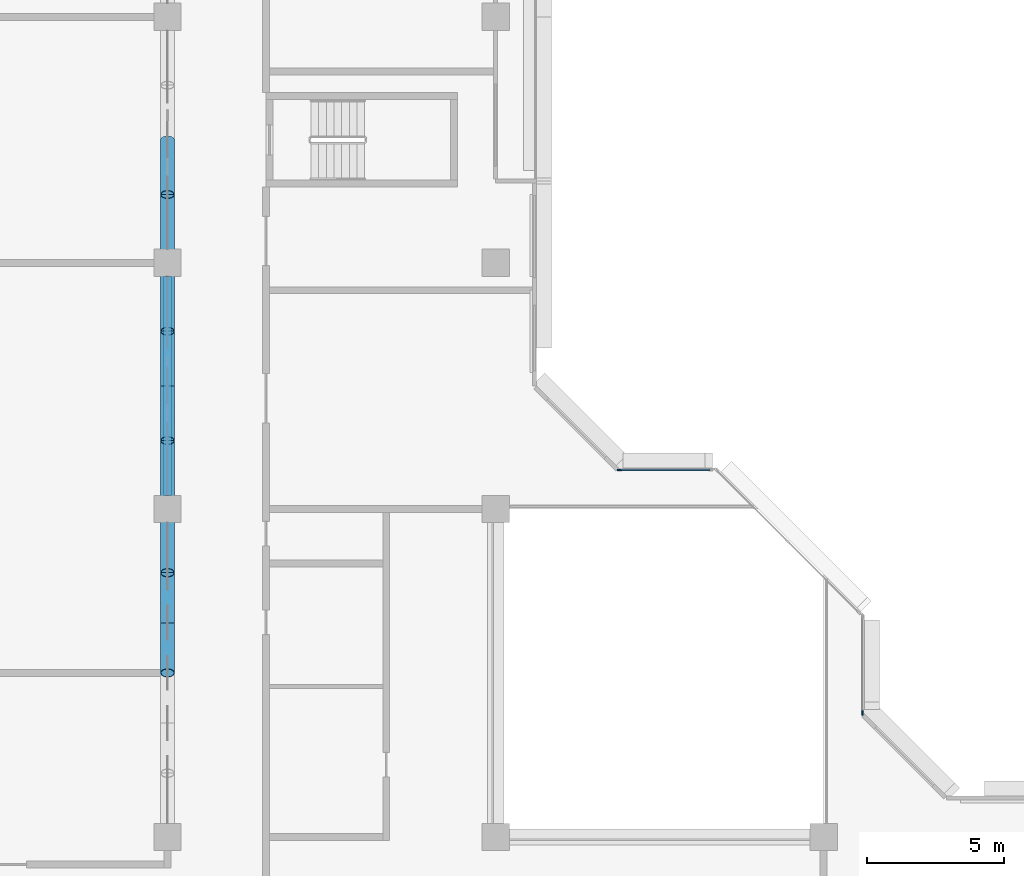
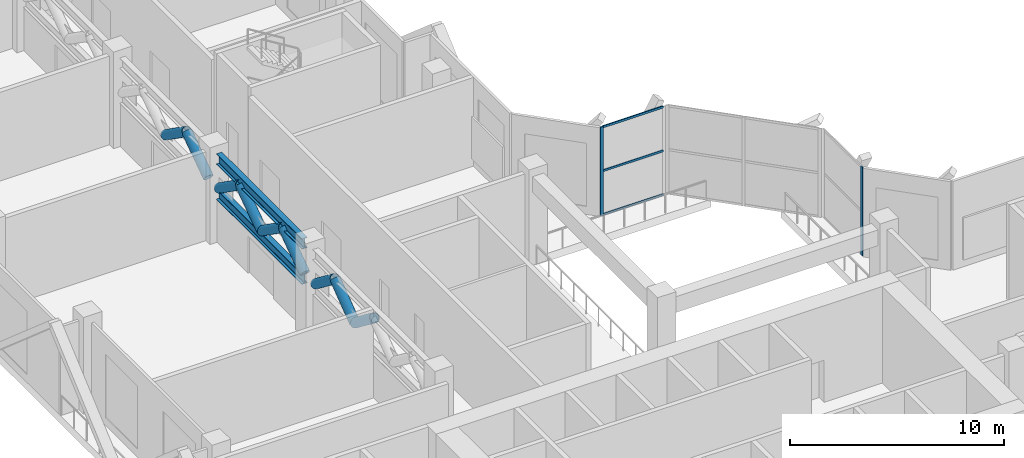
# One storey, part 2 of 15: 14 members, 2 beams, 2 elements without a shape of their own.
"""IFC4 building model written with IfcOpenShell, lengths in metres."""

from ifc_helpers import new_model, si_unit, direction, frame, origin, origin_2d, place, context, subcontext, project, spatial, rectangle, hollow_circle, i_section, extrude, material, layer, layer_set, material_profile, profile_set, type_object, element, aggregate, save


model = new_model("IFC4")

# Units and contexts
model_context = context("Model", 3, precision=1e-05, world=origin(), true_north=direction((0.0, 1.0)))
body_context = subcontext(model_context, "Body", "Model", "MODEL_VIEW")
ifc_project = project(units=[si_unit("LENGTHUNIT", "METRE"), si_unit("AREAUNIT", "SQUARE_METRE"), si_unit("VOLUMEUNIT", "CUBIC_METRE"), si_unit("PLANEANGLEUNIT", "RADIAN"), si_unit("MASSUNIT", "GRAM", prefix="KILO")], contexts=[model_context])

# Site, building, storey
site_placement = place(None, origin())
site = spatial("IfcSite", under=ifc_project, at=site_placement, CompositionType="ELEMENT")
building_placement = place(site_placement, origin())
building = spatial("IfcBuilding", under=site, at=building_placement, Name="Chenar Terraces", CompositionType="ELEMENT")
storey_placement = place(building_placement, frame((0.0, 0.0, 140.64990234375)))
storey = spatial("IfcBuildingStorey", under=building, at=storey_placement, Name="L33", CompositionType="ELEMENT", Elevation=140.64990234375)

# Curtain wall, member
ifc_material_1 = material(Name="Aluminium framed glazing", Category="aluminium")
ifc_layer = layer(ifc_material_1, 0.14990234375)
ifc_layer_set = layer_set([ifc_layer], Name="Aluminium framed glazing")
curtain_wall_type = type_object("IfcCurtainWallType", Name="Atrium curtain wall", PredefinedType="NOTDEFINED", material=ifc_layer_set)
placement = place(storey_placement, origin())
curtain_wall_1 = element("IfcCurtainWall", 1, at=placement, inside=storey, type_object=curtain_wall_type, Name="Atrium curtain wall", PredefinedType="NOTDEFINED")
ifc_material_2 = material(Name="Aluminium", Category="aluminium")
ifc_material_profile_1 = material_profile(ifc_material_2, rectangle(XDim=0.06005859375, YDim=0.159912109375, at=origin_2d()), Name="Atrium glazing mullion 60 x 160")
ifc_profile_set_1 = profile_set([ifc_material_profile_1], Name="Aluminium")
member_type_1 = type_object("IfcMemberType", Name="Atrium glazing mullion 60 x 160", PredefinedType="MULLION", material=ifc_profile_set_1)
member_1_placement = place(storey_placement, frame((37.425048828125, 28.530029296875, 0.0), z_axis=(0.0, 0.0, 1.0), x_axis=(-1.0, 0.0, 0.0)))
member_1 = element("IfcMember", 2, at=member_1_placement, type_object=member_type_1, Name="CW1-1 mullion 1", PredefinedType="MULLION", context=body_context, shape_type="SweptSolid", body=[
    extrude(rectangle(XDim=0.06005859375, YDim=0.159912109375, at=origin_2d()), origin(), (0.0, 0.0, 1.0), 5.050048828125),
])
aggregate(curtain_wall_1, [member_1])

# Curtain wall, members
curtain_wall_2 = element("IfcCurtainWall", 3, at=placement, inside=storey, type_object=curtain_wall_type, Name="Atrium curtain wall", PredefinedType="NOTDEFINED")
member_2_placement = place(storey_placement, frame((28.530029296875, 37.425048828125, 0.0), z_axis=(0.0, 0.0, 1.0), x_axis=(0.0, -1.0, 0.0)))
member_2 = element("IfcMember", 4, at=member_2_placement, type_object=member_type_1, Name="CW1-3 mullion 2", PredefinedType="MULLION", context=body_context, shape_type="SweptSolid", body=[
    extrude(rectangle(XDim=0.06005859375, YDim=0.159912109375, at=origin_2d()), origin(), (0.0, 0.0, 1.0), 5.050048828125),
])
ifc_material_3 = material(Name="Aluminium", Category="aluminium")
ifc_material_profile_2 = material_profile(ifc_material_3, rectangle(XDim=0.06005859375, YDim=0.1201171875, at=origin_2d()), Name="Atrium glazing transom 60 x 120")
ifc_profile_set_2 = profile_set([ifc_material_profile_2], Name="Aluminium")
member_type_2 = type_object("IfcMemberType", Name="Atrium glazing transom 60 x 120", PredefinedType="USERDEFINED", material=ifc_profile_set_2)
member_3_placement = place(storey_placement, frame((31.840087890625, 37.425048828125, 0.030029296875), z_axis=(-1.0, 0.0, 0.0), x_axis=(0.0, -1.0, 0.0)))
member_3 = element("IfcMember", 5, at=member_3_placement, type_object=member_type_2, Name="CW1-3 transom 1.1", ObjectType="TRANSOM", PredefinedType="USERDEFINED", context=body_context, shape_type="SweptSolid", body=[
    extrude(rectangle(XDim=0.06005859375, YDim=0.1201171875, at=origin_2d()), origin(), (0.0, 0.0, 1.0), 3.280029296875),
])
member_4_placement = place(storey_placement, frame((31.840087890625, 37.425048828125, 2.525146484375), z_axis=(-1.0, 0.0, 0.0), x_axis=(0.0, -1.0, 0.0)))
member_4 = element("IfcMember", 6, at=member_4_placement, type_object=member_type_2, Name="CW1-3 transom 1.2", ObjectType="TRANSOM", PredefinedType="USERDEFINED", context=body_context, shape_type="SweptSolid", body=[
    extrude(rectangle(XDim=0.06005859375, YDim=0.1201171875, at=origin_2d()), origin(), (0.0, 0.0, 1.0), 3.280029296875),
])
member_5_placement = place(storey_placement, frame((31.840087890625, 37.425048828125, 5.02001953125), z_axis=(-1.0, 0.0, 0.0), x_axis=(0.0, -1.0, 0.0)))
member_5 = element("IfcMember", 7, at=member_5_placement, type_object=member_type_2, Name="CW1-3 transom 1.3", ObjectType="TRANSOM", PredefinedType="USERDEFINED", context=body_context, shape_type="SweptSolid", body=[
    extrude(rectangle(XDim=0.06005859375, YDim=0.1201171875, at=origin_2d()), origin(), (0.0, 0.0, 1.0), 3.280029296875),
])
aggregate(curtain_wall_2, [member_2, member_3, member_4, member_5])

# Beams
ifc_material_4 = material(Name="Structural steel S355", Category="steel")
ifc_material_profile_3 = material_profile(ifc_material_4, i_section(OverallWidth=0.300048828125, OverallDepth=0.60009765625, WebThickness=0.015380859375, FlangeThickness=0.030029296875, FilletRadius=0.027099609375, at=origin_2d()), Name="HEB 600")
ifc_profile_set_3 = profile_set([ifc_material_profile_3], Name="Structural steel S355")
beam_type = type_object("IfcBeamType", Name="Belt truss chord HEB 600 S355", PredefinedType="BEAM", material=ifc_profile_set_3)
for number, where, z_axis, x_axis, name in (
    (8, (12.0, 36.5, 4.75), (0.0, 1.0, 0.0), (-1.0, 0.0, 0.0), "Belt truss L33 B2 top chord"),
    (9, (12.0, 36.5, 2.75), (0.0, 1.0, 0.0), (-1.0, 0.0, 0.0), "Belt truss L33 B2 bottom chord"),
):
    element("IfcBeam", number, at=place(storey_placement, frame(where, z_axis=z_axis, x_axis=x_axis)), inside=storey, type_object=beam_type, Name=name, PredefinedType="BEAM", context=body_context, shape_type="SweptSolid", body=[
        extrude(i_section(OverallWidth=0.300048828125, OverallDepth=0.60009765625, WebThickness=0.015380859375, FlangeThickness=0.030029296875, FilletRadius=0.027099609375, at=origin_2d()), origin(), (0.0, 0.0, 1.0), 8.0),
    ])

# Members
ifc_material_5 = material(Name="Structural steel S355", Category="steel")
ifc_material_profile_4 = material_profile(ifc_material_5, hollow_circle(Radius=0.25390625, WallThickness=0.02001953125, at=origin_2d()), Name="CHS 508x20")
ifc_profile_set_4 = profile_set([ifc_material_profile_4], Name="Structural steel S355")
member_type_3 = type_object("IfcMemberType", Name="Belt truss diagonal CHS 508x20 S355", PredefinedType="BRACE", material=ifc_profile_set_4)
for number, where, z_axis, x_axis, name in (
    (10, (12.0, 30.0, 4.4501953125), (0.0, 0.794724186753, -0.606970729928), (-1.0, 0.0, 0.0), "Belt truss L33 B1 diagonal 4"),
    (11, (12.0, 31.833251953125, 3.050048828125), (0.0, 0.794763173324, 0.606919680294), (-1.0, 0.0, 0.0), "Belt truss L33 B1 diagonal 5"),
    (12, (12.0, 33.666748046875, 4.4501953125), (0.0, 0.794724186753, -0.606970729928), (-1.0, 0.0, 0.0), "Belt truss L33 B1 diagonal 6"),
):
    element("IfcMember", number, at=place(storey_placement, frame(where, z_axis=z_axis, x_axis=x_axis)), inside=storey, type_object=member_type_3, Name=name, PredefinedType="BRACE", context=body_context, shape_type="SweptSolid", body=[
        extrude(hollow_circle(Radius=0.25390625, WallThickness=0.02001953125, at=origin_2d()), origin(), (0.0, 0.0, 1.0), 2.306884765625),
    ])
for number, where, z_axis, x_axis, name in (
    (13, (12.0, 36.5, 3.050048828125), (0.0, 0.819203731481, 0.57350261231), (-1.0, 0.0, 0.0), "Belt truss L33 B2 diagonal 1"),
    (14, (12.0, 38.5, 4.4501953125), (0.0, 0.819203731481, -0.57350261231), (-1.0, 0.0, 0.0), "Belt truss L33 B2 diagonal 2"),
    (15, (12.0, 40.5, 3.050048828125), (0.0, 0.819203731481, 0.57350261231), (-1.0, 0.0, 0.0), "Belt truss L33 B2 diagonal 3"),
    (16, (12.0, 42.5, 4.4501953125), (0.0, 0.819203731481, -0.57350261231), (-1.0, 0.0, 0.0), "Belt truss L33 B2 diagonal 4"),
    (17, (12.0, 45.5, 3.050048828125), (0.0, 0.819203731481, 0.57350261231), (-1.0, 0.0, 0.0), "Belt truss L33 B3 diagonal 1"),
    (18, (12.0, 47.5, 4.4501953125), (0.0, 0.819203731481, -0.57350261231), (-1.0, 0.0, 0.0), "Belt truss L33 B3 diagonal 2"),
):
    element("IfcMember", number, at=place(storey_placement, frame(where, z_axis=z_axis, x_axis=x_axis)), inside=storey, type_object=member_type_3, Name=name, PredefinedType="BRACE", context=body_context, shape_type="SweptSolid", body=[
        extrude(hollow_circle(Radius=0.25390625, WallThickness=0.02001953125, at=origin_2d()), origin(), (0.0, 0.0, 1.0), 2.44140625),
    ])

save(model, "model.ifc")
